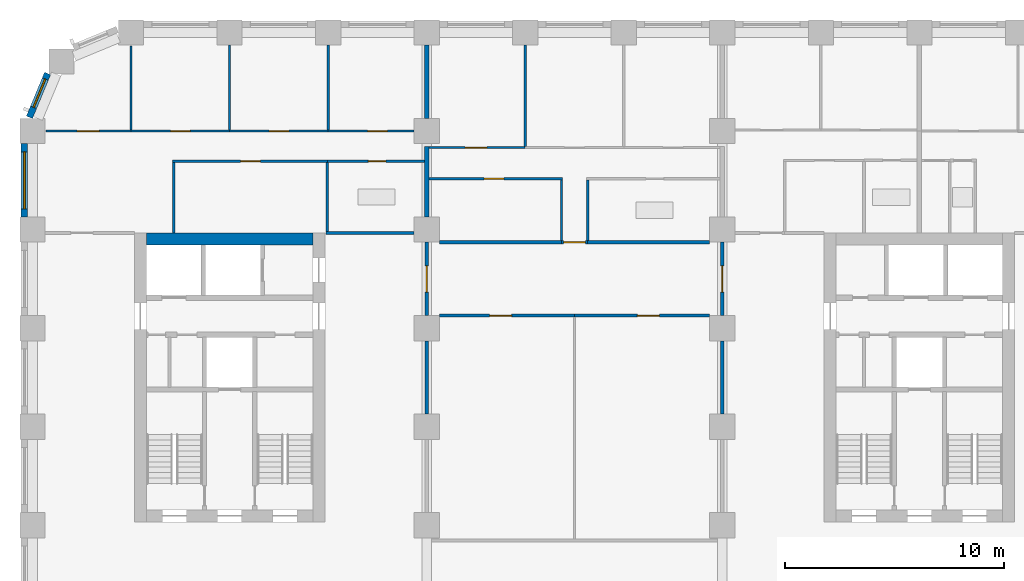
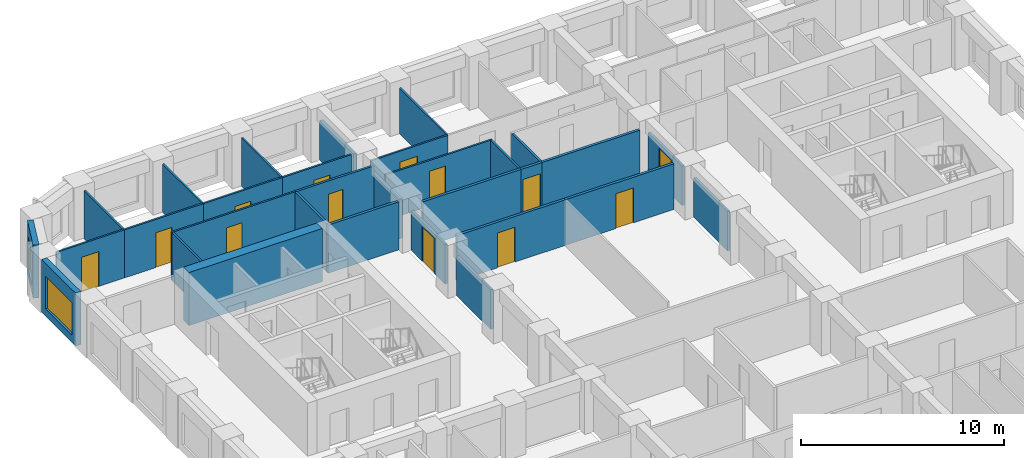
# One storey, part 7 of 13: 31 walls, 13 doors, 2 windows, 15 openings.
"""IFC4 building model written with IfcOpenShell, lengths in metres."""

from ifc_helpers import new_model, si_unit, direction, frame, frame_2d, origin, place, context, subcontext, project, spatial, rectangle, extrude, material, layer, layer_set, type_object, element, fill, save


model = new_model("IFC4")

# Units and contexts
model_context = context("Model", 3, precision=1e-05, world=origin(), true_north=direction((0.0, 1.0)))
body_context = subcontext(model_context, "Body", "Model", "MODEL_VIEW")
ifc_project = project(units=[si_unit("LENGTHUNIT", "METRE"), si_unit("AREAUNIT", "SQUARE_METRE"), si_unit("VOLUMEUNIT", "CUBIC_METRE"), si_unit("PLANEANGLEUNIT", "RADIAN"), si_unit("MASSUNIT", "GRAM", prefix="KILO")], contexts=[model_context])

# Site, building, storey
site_placement = place(None, origin())
site = spatial("IfcSite", under=ifc_project, at=site_placement, CompositionType="ELEMENT")
building_placement = place(site_placement, origin())
building = spatial("IfcBuilding", under=site, at=building_placement, Name="Girih Gate Residences", CompositionType="ELEMENT")
storey_placement = place(building_placement, frame((0.0, 0.0, 86.39990234375)))
storey = spatial("IfcBuildingStorey", under=building, at=storey_placement, Name="L23", CompositionType="ELEMENT", Elevation=86.39990234375)

# Walls
ifc_material_1 = material(Name="Gypsum board on steel studs", Category="steel")
ifc_layer_1 = layer(ifc_material_1, 0.14990234375)
ifc_layer_set_1 = layer_set([ifc_layer_1], Name="Compartment wall 150 mm")
wall_type_1 = type_object("IfcWallType", Name="Compartment wall 150 mm", PredefinedType="PARTITIONING", material=ifc_layer_set_1)
wall_1_placement = place(storey_placement, frame((13.400390625, 40.35009765625, 0.0), z_axis=(0.0, 0.0, 1.0), x_axis=(1.0, 0.0, 0.0)))
element("IfcWall", 1, at=wall_1_placement, inside=storey, type_object=wall_type_1, Name="L23 partition", PredefinedType="PARTITIONING", context=body_context, shape_type="SweptSolid", body=[
    extrude(rectangle(XDim=4.024658203125, YDim=0.14990234375, at=frame_2d((2.01220703125, 0.0))), origin(), (0.0, 0.0, 1.0), 2.900146484375),
])
wall_2_placement = place(storey_placement, frame((25.35009765625, 39.925048828125, 0.0), z_axis=(0.0, 0.0, 1.0), x_axis=(1.0, 0.0, 0.0)))
element("IfcWall", 2, at=wall_2_placement, inside=storey, type_object=wall_type_1, Name="L23 partition", PredefinedType="PARTITIONING", context=body_context, shape_type="SweptSolid", body=[
    extrude(rectangle(XDim=5.574951171875, YDim=0.14990234375, at=frame_2d((2.78759765625, 0.0))), origin(), (0.0, 0.0, 1.0), 2.75),
])

# Wall, opening, door
wall_3_placement = place(storey_placement, frame((24.14990234375, 39.925048828125, 0.0), z_axis=(0.0, 0.0, 1.0), x_axis=(1.0, 0.0, 0.0)))
wall_3 = element("IfcWall", 3, at=wall_3_placement, inside=storey, type_object=wall_type_1, Name="L23 partition", PredefinedType="PARTITIONING", context=body_context, shape_type="SweptSolid", body=[
    extrude(rectangle(XDim=1.2001953125, YDim=0.14990234375, at=frame_2d((0.60009765625, 0.0))), origin(), (0.0, 0.0, 1.0), 2.75),
])
opening_1_placement = place(wall_3_placement, frame((0.10009765625, 0.0, 0.0)))
opening_1 = element("IfcOpeningElement", 4, at=opening_1_placement, cuts=wall_3, Name="Opening A23-045", PredefinedType="OPENING", context=body_context, shape_type="SweptSolid", body=[
    extrude(rectangle(XDim=1.0, YDim=2.10009765625, at=frame_2d((0.5, 1.050048828125))), frame((0.0, 0.0849609375, 0.0), z_axis=(0.0, -1.0, 0.0), x_axis=(1.0, 0.0, 0.0)), (0.0, 0.0, 1.0), 0.169921875),
])
ifc_material_2 = material(Name="Timber, fire-rated core", Category="wood")
door_type_1 = type_object("IfcDoorType", Name="Flat entrance door 1000x2100 FD30S", OperationType="NOTDEFINED", PredefinedType="DOOR", material=ifc_material_2)
door_1_placement = place(opening_1_placement, origin())
door_1 = element("IfcDoor", 5, at=door_1_placement, inside=storey, type_object=door_type_1, Name="Door A23-045", OperationType="SINGLE_SWING_RIGHT", OverallHeight=2.10009765625, OverallWidth=1.0, PredefinedType="DOOR", context=body_context, shape_type="SweptSolid", body=[
    extrude(rectangle(XDim=1.0, YDim=2.10009765625, at=frame_2d((0.5, 1.050048828125))), frame((0.0, 0.02490234375, 0.0), z_axis=(0.0, -1.0, 0.0), x_axis=(1.0, 0.0, 0.0)), (0.0, 0.0, 1.0), 0.050048828125),
])
fill(opening_1, door_1)

# Wall
wall_4_placement = place(storey_placement, frame((18.574951171875, 39.925048828125, 0.0), z_axis=(0.0, 0.0, 1.0), x_axis=(1.0, 0.0, 0.0)))
element("IfcWall", 6, at=wall_4_placement, inside=storey, type_object=wall_type_1, Name="L23 partition", PredefinedType="PARTITIONING", context=body_context, shape_type="SweptSolid", body=[
    extrude(rectangle(XDim=5.574951171875, YDim=0.14990234375, at=frame_2d((2.78759765625, 0.0))), origin(), (0.0, 0.0, 1.0), 2.75),
])

# Wall, opening, door
wall_5_placement = place(storey_placement, frame((24.75, 36.574951171875, 0.0), z_axis=(0.0, 0.0, 1.0), x_axis=(-1.0, 0.0, 0.0)))
wall_5 = element("IfcWall", 7, at=wall_5_placement, inside=storey, type_object=wall_type_1, Name="L23 partition", PredefinedType="PARTITIONING", context=body_context, shape_type="SweptSolid", body=[
    extrude(rectangle(XDim=6.175048828125, YDim=0.14990234375, at=frame_2d((3.08740234375, 0.0))), origin(), (0.0, 0.0, 1.0), 2.75),
])
opening_2_placement = place(wall_5_placement, frame((2.875, 0.0, 0.0)))
opening_2 = element("IfcOpeningElement", 8, at=opening_2_placement, cuts=wall_5, Name="Opening A23-046", PredefinedType="OPENING", context=body_context, shape_type="SweptSolid", body=[
    extrude(rectangle(XDim=1.0, YDim=2.10009765625, at=frame_2d((0.5, 1.050048828125))), frame((0.0, 0.0849609375, 0.0), z_axis=(0.0, -1.0, 0.0), x_axis=(1.0, 0.0, 0.0)), (0.0, 0.0, 1.0), 0.169921875),
])
door_type_2 = type_object("IfcDoorType", Name="Amenity room door 1000x2100 FD30S", OperationType="NOTDEFINED", PredefinedType="DOOR", material=ifc_material_2)
door_2_placement = place(opening_2_placement, origin())
door_2 = element("IfcDoor", 9, at=door_2_placement, inside=storey, type_object=door_type_2, Name="Door A23-046", OperationType="SINGLE_SWING_RIGHT", OverallHeight=2.10009765625, OverallWidth=1.0, PredefinedType="DOOR", context=body_context, shape_type="SweptSolid", body=[
    extrude(rectangle(XDim=1.0, YDim=2.10009765625, at=frame_2d((0.5, 1.050048828125))), frame((0.0, 0.02490234375, 0.0), z_axis=(0.0, -1.0, 0.0), x_axis=(1.0, 0.0, 0.0)), (0.0, 0.0, 1.0), 0.050048828125),
])
fill(opening_2, door_2)

wall_6_placement = place(storey_placement, frame((30.925048828125, 36.574951171875, 0.0), z_axis=(0.0, 0.0, 1.0), x_axis=(-1.0, 0.0, 0.0)))
wall_6 = element("IfcWall", 10, at=wall_6_placement, inside=storey, type_object=wall_type_1, Name="L23 partition", PredefinedType="PARTITIONING", context=body_context, shape_type="SweptSolid", body=[
    extrude(rectangle(XDim=6.175048828125, YDim=0.14990234375, at=frame_2d((3.08740234375, 0.0))), origin(), (0.0, 0.0, 1.0), 2.75),
])
opening_3_placement = place(wall_6_placement, frame((2.300048828125, 0.0, 0.0)))
opening_3 = element("IfcOpeningElement", 11, at=opening_3_placement, cuts=wall_6, Name="Opening A23-047", PredefinedType="OPENING", context=body_context, shape_type="SweptSolid", body=[
    extrude(rectangle(XDim=1.0, YDim=2.10009765625, at=frame_2d((0.5, 1.050048828125))), frame((0.0, 0.0849609375, 0.0), z_axis=(0.0, -1.0, 0.0), x_axis=(1.0, 0.0, 0.0)), (0.0, 0.0, 1.0), 0.169921875),
])
door_3_placement = place(opening_3_placement, origin())
door_3 = element("IfcDoor", 12, at=door_3_placement, inside=storey, type_object=door_type_2, Name="Door A23-047", OperationType="SINGLE_SWING_LEFT", OverallHeight=2.10009765625, OverallWidth=1.0, PredefinedType="DOOR", context=body_context, shape_type="SweptSolid", body=[
    extrude(rectangle(XDim=1.0, YDim=2.10009765625, at=frame_2d((0.5, 1.050048828125))), frame((0.0, 0.02490234375, 0.0), z_axis=(0.0, -1.0, 0.0), x_axis=(1.0, 0.0, 0.0)), (0.0, 0.0, 1.0), 0.050048828125),
])
fill(opening_3, door_3)

wall_7_placement = place(storey_placement, frame((31.5, 36.574951171875, 0.0), z_axis=(0.0, 0.0, 1.0), x_axis=(0.0, 1.0, 0.0)))
wall_7 = element("IfcWall", 13, at=wall_7_placement, inside=storey, type_object=wall_type_1, Name="L23 partition", PredefinedType="PARTITIONING", context=body_context, shape_type="SweptSolid", body=[
    extrude(rectangle(XDim=3.35009765625, YDim=0.14990234375, at=frame_2d((1.675048828125, 0.0))), origin(), (0.0, 0.0, 1.0), 2.380126953125),
])
opening_4_placement = place(wall_7_placement, frame((1.074951171875, 0.0, 0.0)))
opening_4 = element("IfcOpeningElement", 14, at=opening_4_placement, cuts=wall_7, Name="Opening A23-048", PredefinedType="OPENING", context=body_context, shape_type="SweptSolid", body=[
    extrude(rectangle(XDim=1.199951171875, YDim=2.10009765625, at=frame_2d((0.60009765625, 1.050048828125))), frame((0.0, 0.0849609375, 0.0), z_axis=(0.0, -1.0, 0.0), x_axis=(1.0, 0.0, 0.0)), (0.0, 0.0, 1.0), 0.169921875),
])
door_type_3 = type_object("IfcDoorType", Name="Corridor fire door 1200x2100 FD30S", OperationType="NOTDEFINED", PredefinedType="DOOR", material=ifc_material_2)
door_4_placement = place(opening_4_placement, origin())
door_4 = element("IfcDoor", 15, at=door_4_placement, inside=storey, type_object=door_type_3, Name="Door A23-048", OperationType="SINGLE_SWING_LEFT", OverallHeight=2.10009765625, OverallWidth=1.199951171875, PredefinedType="DOOR", context=body_context, shape_type="SweptSolid", body=[
    extrude(rectangle(XDim=1.199951171875, YDim=2.10009765625, at=frame_2d((0.60009765625, 1.050048828125))), frame((0.0, 0.02490234375, 0.0), z_axis=(0.0, -1.0, 0.0), x_axis=(1.0, 0.0, 0.0)), (0.0, 0.0, 1.0), 0.050048828125),
])
fill(opening_4, door_4)

wall_8_placement = place(storey_placement, frame((18.0, 39.925048828125, 0.0), z_axis=(0.0, 0.0, 1.0), x_axis=(0.0, -1.0, 0.0)))
wall_8 = element("IfcWall", 16, at=wall_8_placement, inside=storey, type_object=wall_type_1, Name="L23 partition", PredefinedType="PARTITIONING", context=body_context, shape_type="SweptSolid", body=[
    extrude(rectangle(XDim=3.35009765625, YDim=0.14990234375, at=frame_2d((1.675048828125, 0.0))), origin(), (0.0, 0.0, 1.0), 2.380126953125),
])
opening_5_placement = place(wall_8_placement, frame((1.074951171875, 0.0, 0.0)))
opening_5 = element("IfcOpeningElement", 17, at=opening_5_placement, cuts=wall_8, Name="Opening A23-049", PredefinedType="OPENING", context=body_context, shape_type="SweptSolid", body=[
    extrude(rectangle(XDim=1.199951171875, YDim=2.10009765625, at=frame_2d((0.60009765625, 1.050048828125))), frame((0.0, 0.0849609375, 0.0), z_axis=(0.0, -1.0, 0.0), x_axis=(1.0, 0.0, 0.0)), (0.0, 0.0, 1.0), 0.169921875),
])
door_5_placement = place(opening_5_placement, origin())
door_5 = element("IfcDoor", 18, at=door_5_placement, inside=storey, type_object=door_type_3, Name="Door A23-049", OperationType="SINGLE_SWING_LEFT", OverallHeight=2.10009765625, OverallWidth=1.199951171875, PredefinedType="DOOR", context=body_context, shape_type="SweptSolid", body=[
    extrude(rectangle(XDim=1.199951171875, YDim=2.10009765625, at=frame_2d((0.60009765625, 1.050048828125))), frame((0.0, 0.02490234375, 0.0), z_axis=(0.0, -1.0, 0.0), x_axis=(1.0, 0.0, 0.0)), (0.0, 0.0, 1.0), 0.050048828125),
])
fill(opening_5, door_5)

# Walls
for number, where, z_axis, x_axis, name in (
    (19, (18.0, 32.074951171875, 0.0), (0.0, 0.0, 1.0), (0.0, 1.0, 0.0), "L23 partition"),
    (20, (31.5, 32.074951171875, 0.0), (0.0, 0.0, 1.0), (0.0, 1.0, 0.0), "L23 partition"),
):
    element("IfcWall", number, at=place(storey_placement, frame(where, z_axis=z_axis, x_axis=x_axis)), inside=storey, type_object=wall_type_1, Name=name, PredefinedType="PARTITIONING", context=body_context, shape_type="SweptSolid", body=[
        extrude(rectangle(XDim=3.35009765625, YDim=0.14990234375, at=frame_2d((1.675048828125, 0.0))), origin(), (0.0, 0.0, 1.0), 2.380126953125),
    ])
ifc_material_3 = material(Name="Concrete C60/75", Category="concrete")
ifc_layer_2 = layer(ifc_material_3, 0.550048828125)
ifc_layer_set_2 = layer_set([ifc_layer_2], Name="Core wall RC 550 Concrete C60/75")
wall_type_2 = type_object("IfcWallType", Name="Core wall RC 550 Concrete C60/75", PredefinedType="SOLIDWALL", material=ifc_layer_set_2)
wall_9_placement = place(storey_placement, frame((5.199951171875, 40.074951171875, 0.0), z_axis=(0.0, 0.0, 1.0), x_axis=(1.0, 0.0, 0.0)))
element("IfcWall", 21, at=wall_9_placement, inside=storey, type_object=wall_type_2, Name="Core wall W-N L23", PredefinedType="SOLIDWALL", context=body_context, shape_type="SweptSolid", body=[
    extrude(rectangle(XDim=7.60009765625, YDim=0.550048828125, at=frame_2d((3.800048828125, 0.0))), origin(), (0.0, 0.0, 1.0), 3.2001953125),
])
ifc_layer_3 = layer(ifc_material_1, 0.10009765625)
ifc_layer_set_3 = layer_set([ifc_layer_3], Name="Partition 100 mm")
wall_type_3 = type_object("IfcWallType", Name="Partition 100 mm", PredefinedType="PARTITIONING", material=ifc_layer_set_3)
wall_10_placement = place(storey_placement, frame((9.0, 45.050048828125, 0.0), z_axis=(0.0, 0.0, 1.0), x_axis=(0.0, 1.0, 0.0)))
element("IfcWall", 22, at=wall_10_placement, inside=storey, type_object=wall_type_3, Name="L23 partition", PredefinedType="PARTITIONING", context=body_context, shape_type="SweptSolid", body=[
    extrude(rectangle(XDim=3.875, YDim=0.10009765625, at=frame_2d((1.9375, 0.0))), origin(), (0.0, 0.0, 1.0), 2.900146484375),
])

# Wall, opening, door
wall_11_placement = place(storey_placement, frame((4.5, 45.0, 0.0), z_axis=(0.0, 0.0, 1.0), x_axis=(1.0, 0.0, 0.0)))
wall_11 = element("IfcWall", 23, at=wall_11_placement, inside=storey, type_object=wall_type_3, Name="L23 partition", PredefinedType="PARTITIONING", context=body_context, shape_type="SweptSolid", body=[
    extrude(rectangle(XDim=4.5, YDim=0.10009765625, at=frame_2d((2.25, 0.0))), origin(), (0.0, 0.0, 1.0), 2.900146484375),
])
opening_6_placement = place(wall_11_placement, frame((1.800048828125, 0.0, 0.0)))
opening_6 = element("IfcOpeningElement", 24, at=opening_6_placement, cuts=wall_11, Name="Opening A23-012", PredefinedType="OPENING", context=body_context, shape_type="SweptSolid", body=[
    extrude(rectangle(XDim=0.89990234375, YDim=2.10009765625, at=frame_2d((0.449951171875, 1.050048828125))), frame((0.0, 0.06005859375, 0.0), z_axis=(0.0, -1.0, 0.0), x_axis=(1.0, 0.0, 0.0)), (0.0, 0.0, 1.0), 0.1201171875),
])
ifc_material_4 = material(Name="Timber", Category="wood")
door_type_4 = type_object("IfcDoorType", Name="Bedroom door 900x2100", OperationType="NOTDEFINED", PredefinedType="DOOR", material=ifc_material_4)
door_6_placement = place(opening_6_placement, origin())
door_6 = element("IfcDoor", 25, at=door_6_placement, inside=storey, type_object=door_type_4, Name="Door A23-012", OperationType="SINGLE_SWING_RIGHT", OverallHeight=2.10009765625, OverallWidth=0.89990234375, PredefinedType="DOOR", context=body_context, shape_type="SweptSolid", body=[
    extrude(rectangle(XDim=0.89990234375, YDim=2.10009765625, at=frame_2d((0.449951171875, 1.050048828125))), frame((0.0, 0.02490234375, 0.0), z_axis=(0.0, -1.0, 0.0), x_axis=(1.0, 0.0, 0.0)), (0.0, 0.0, 1.0), 0.050048828125),
])
fill(opening_6, door_6)

# Walls
wall_12_placement = place(storey_placement, frame((4.5, 45.050048828125, 0.0), z_axis=(0.0, 0.0, 1.0), x_axis=(0.0, 1.0, 0.0)))
element("IfcWall", 26, at=wall_12_placement, inside=storey, type_object=wall_type_3, Name="L23 partition", PredefinedType="PARTITIONING", context=body_context, shape_type="SweptSolid", body=[
    extrude(rectangle(XDim=3.82763671875, YDim=0.10009765625, at=frame_2d((1.913818359375, 0.0))), origin(), (0.0, 0.0, 1.0), 2.900146484375),
])
wall_13_placement = place(storey_placement, frame((13.5, 45.050048828125, 0.0), z_axis=(0.0, 0.0, 1.0), x_axis=(0.0, 1.0, 0.0)))
element("IfcWall", 27, at=wall_13_placement, inside=storey, type_object=wall_type_3, Name="L23 partition", PredefinedType="PARTITIONING", context=body_context, shape_type="SweptSolid", body=[
    extrude(rectangle(XDim=3.875, YDim=0.10009765625, at=frame_2d((1.9375, 0.0))), origin(), (0.0, 0.0, 1.0), 2.900146484375),
])

# Wall, opening, door
wall_14_placement = place(storey_placement, frame((9.0, 45.0, 0.0), z_axis=(0.0, 0.0, 1.0), x_axis=(1.0, 0.0, 0.0)))
wall_14 = element("IfcWall", 28, at=wall_14_placement, inside=storey, type_object=wall_type_3, Name="L23 partition", PredefinedType="PARTITIONING", context=body_context, shape_type="SweptSolid", body=[
    extrude(rectangle(XDim=4.5, YDim=0.10009765625, at=frame_2d((2.25, 0.0))), origin(), (0.0, 0.0, 1.0), 2.900146484375),
])
opening_7_placement = place(wall_14_placement, frame((1.800048828125, 0.0, 0.0)))
opening_7 = element("IfcOpeningElement", 29, at=opening_7_placement, cuts=wall_14, Name="Opening A23-013", PredefinedType="OPENING", context=body_context, shape_type="SweptSolid", body=[
    extrude(rectangle(XDim=0.89990234375, YDim=2.10009765625, at=frame_2d((0.449951171875, 1.050048828125))), frame((0.0, 0.06005859375, 0.0), z_axis=(0.0, -1.0, 0.0), x_axis=(1.0, 0.0, 0.0)), (0.0, 0.0, 1.0), 0.1201171875),
])
door_7_placement = place(opening_7_placement, origin())
door_7 = element("IfcDoor", 30, at=door_7_placement, inside=storey, type_object=door_type_4, Name="Door A23-013", OperationType="SINGLE_SWING_LEFT", OverallHeight=2.10009765625, OverallWidth=0.89990234375, PredefinedType="DOOR", context=body_context, shape_type="SweptSolid", body=[
    extrude(rectangle(XDim=0.89990234375, YDim=2.10009765625, at=frame_2d((0.449951171875, 1.050048828125))), frame((0.0, 0.02490234375, 0.0), z_axis=(0.0, -1.0, 0.0), x_axis=(1.0, 0.0, 0.0)), (0.0, 0.0, 1.0), 0.050048828125),
])
fill(opening_7, door_7)

wall_15_placement = place(storey_placement, frame((13.5, 45.0, 0.0), z_axis=(0.0, 0.0, 1.0), x_axis=(1.0, 0.0, 0.0)))
wall_15 = element("IfcWall", 31, at=wall_15_placement, inside=storey, type_object=wall_type_3, Name="L23 partition", PredefinedType="PARTITIONING", context=body_context, shape_type="SweptSolid", body=[
    extrude(rectangle(XDim=3.925048828125, YDim=0.10009765625, at=frame_2d((1.96240234375, 0.0))), origin(), (0.0, 0.0, 1.0), 2.900146484375),
])
opening_8_placement = place(wall_15_placement, frame((1.800048828125, 0.0, 0.0)))
opening_8 = element("IfcOpeningElement", 32, at=opening_8_placement, cuts=wall_15, Name="Opening A23-014", PredefinedType="OPENING", context=body_context, shape_type="SweptSolid", body=[
    extrude(rectangle(XDim=0.89990234375, YDim=2.10009765625, at=frame_2d((0.449951171875, 1.050048828125))), frame((0.0, 0.06005859375, 0.0), z_axis=(0.0, -1.0, 0.0), x_axis=(1.0, 0.0, 0.0)), (0.0, 0.0, 1.0), 0.1201171875),
])
door_8_placement = place(opening_8_placement, origin())
door_8 = element("IfcDoor", 33, at=door_8_placement, inside=storey, type_object=door_type_4, Name="Door A23-014", OperationType="SINGLE_SWING_RIGHT", OverallHeight=2.10009765625, OverallWidth=0.89990234375, PredefinedType="DOOR", context=body_context, shape_type="SweptSolid", body=[
    extrude(rectangle(XDim=0.89990234375, YDim=2.10009765625, at=frame_2d((0.449951171875, 1.050048828125))), frame((0.0, 0.02490234375, 0.0), z_axis=(0.0, -1.0, 0.0), x_axis=(1.0, 0.0, 0.0)), (0.0, 0.0, 1.0), 0.050048828125),
])
fill(opening_8, door_8)

wall_16_placement = place(storey_placement, frame((13.462890625, 43.6201171875, 0.0), z_axis=(0.0, 0.0, 1.0), x_axis=(-1.0, 0.0, 0.0)))
wall_16 = element("IfcWall", 34, at=wall_16_placement, inside=storey, type_object=wall_type_3, Name="L23 partition", PredefinedType="PARTITIONING", context=body_context, shape_type="SweptSolid", body=[
    extrude(rectangle(XDim=7.06298828125, YDim=0.10009765625, at=frame_2d((3.531494140625, 0.0))), origin(), (0.0, 0.0, 1.0), 2.900146484375),
])
opening_9_placement = place(wall_16_placement, frame((3.056396484375, 0.0, 0.0)))
opening_9 = element("IfcOpeningElement", 35, at=opening_9_placement, cuts=wall_16, Name="Opening A23-015", PredefinedType="OPENING", context=body_context, shape_type="SweptSolid", body=[
    extrude(rectangle(XDim=0.89990234375, YDim=2.10009765625, at=frame_2d((0.449951171875, 1.050048828125))), frame((0.0, 0.06005859375, 0.0), z_axis=(0.0, -1.0, 0.0), x_axis=(1.0, 0.0, 0.0)), (0.0, 0.0, 1.0), 0.1201171875),
])
door_type_5 = type_object("IfcDoorType", Name="Kitchen door 900x2100", OperationType="NOTDEFINED", PredefinedType="DOOR", material=ifc_material_4)
door_9_placement = place(opening_9_placement, origin())
door_9 = element("IfcDoor", 36, at=door_9_placement, inside=storey, type_object=door_type_5, Name="Door A23-015", OperationType="SINGLE_SWING_LEFT", OverallHeight=2.10009765625, OverallWidth=0.89990234375, PredefinedType="DOOR", context=body_context, shape_type="SweptSolid", body=[
    extrude(rectangle(XDim=0.89990234375, YDim=2.10009765625, at=frame_2d((0.449951171875, 1.050048828125))), frame((0.0, 0.02490234375, 0.0), z_axis=(0.0, -1.0, 0.0), x_axis=(1.0, 0.0, 0.0)), (0.0, 0.0, 1.0), 0.050048828125),
])
fill(opening_9, door_9)

# Wall
wall_17_placement = place(storey_placement, frame((6.449951171875, 40.35009765625, 0.0), z_axis=(0.0, 0.0, 1.0), x_axis=(0.0, 1.0, 0.0)))
element("IfcWall", 37, at=wall_17_placement, inside=storey, type_object=wall_type_3, Name="L23 partition", PredefinedType="PARTITIONING", context=body_context, shape_type="SweptSolid", body=[
    extrude(rectangle(XDim=3.219970703125, YDim=0.10009765625, at=frame_2d((1.60986328125, 0.0))), origin(), (0.0, 0.0, 1.0), 2.900146484375),
])

# Wall, opening, door
wall_18_placement = place(storey_placement, frame((0.622314453125, 45.0, 0.0), z_axis=(0.0, 0.0, 1.0), x_axis=(1.0, 0.0, 0.0)))
wall_18 = element("IfcWall", 38, at=wall_18_placement, inside=storey, type_object=wall_type_3, Name="L23 partition", PredefinedType="PARTITIONING", context=body_context, shape_type="SweptSolid", body=[
    extrude(rectangle(XDim=3.877685546875, YDim=0.10009765625, at=frame_2d((1.93896484375, 0.0))), origin(), (0.0, 0.0, 1.0), 2.900146484375),
])
opening_10_placement = place(wall_18_placement, frame((1.4150390625, 0.0, 0.0)))
opening_10 = element("IfcOpeningElement", 39, at=opening_10_placement, cuts=wall_18, Name="Opening A23-016", PredefinedType="OPENING", context=body_context, shape_type="SweptSolid", body=[
    extrude(rectangle(XDim=1.0, YDim=2.10009765625, at=frame_2d((0.5, 1.050048828125))), frame((0.0, 0.06005859375, 0.0), z_axis=(0.0, -1.0, 0.0), x_axis=(1.0, 0.0, 0.0)), (0.0, 0.0, 1.0), 0.1201171875),
])
door_type_6 = type_object("IfcDoorType", Name="Living room door 1000x2100", OperationType="NOTDEFINED", PredefinedType="DOOR", material=ifc_material_4)
door_10_placement = place(opening_10_placement, origin())
door_10 = element("IfcDoor", 40, at=door_10_placement, inside=storey, type_object=door_type_6, Name="Door A23-016", OperationType="SINGLE_SWING_LEFT", OverallHeight=2.10009765625, OverallWidth=1.0, PredefinedType="DOOR", context=body_context, shape_type="SweptSolid", body=[
    extrude(rectangle(XDim=1.0, YDim=2.10009765625, at=frame_2d((0.5, 1.050048828125))), frame((0.0, 0.02490234375, 0.0), z_axis=(0.0, -1.0, 0.0), x_axis=(1.0, 0.0, 0.0)), (0.0, 0.0, 1.0), 0.050048828125),
])
fill(opening_10, door_10)

# Walls
wall_19_placement = place(storey_placement, frame((22.5, 44.294921875, 0.0), z_axis=(0.0, 0.0, 1.0), x_axis=(0.0, 1.0, 0.0)))
element("IfcWall", 41, at=wall_19_placement, inside=storey, type_object=wall_type_3, Name="L23 partition", PredefinedType="PARTITIONING", context=body_context, shape_type="SweptSolid", body=[
    extrude(rectangle(XDim=4.630126953125, YDim=0.10009765625, at=frame_2d((2.31494140625, 0.0))), origin(), (0.0, 0.0, 1.0), 2.75),
])
wall_20_placement = place(storey_placement, frame((24.14990234375, 40.0, 0.0), z_axis=(0.0, 0.0, 1.0), x_axis=(0.0, 1.0, 0.0)))
element("IfcWall", 42, at=wall_20_placement, inside=storey, type_object=wall_type_3, Name="L23 partition", PredefinedType="PARTITIONING", context=body_context, shape_type="SweptSolid", body=[
    extrude(rectangle(XDim=2.77490234375, YDim=0.10009765625, at=frame_2d((1.387451171875, 0.0))), origin(), (0.0, 0.0, 1.0), 2.75),
])

# Wall, opening, door
wall_21_placement = place(storey_placement, frame((24.199951171875, 42.824951171875, 0.0), z_axis=(0.0, 0.0, 1.0), x_axis=(-1.0, 0.0, 0.0)))
wall_21 = element("IfcWall", 43, at=wall_21_placement, inside=storey, type_object=wall_type_3, Name="L23 partition", PredefinedType="PARTITIONING", context=body_context, shape_type="SweptSolid", body=[
    extrude(rectangle(XDim=6.099853515625, YDim=0.10009765625, at=frame_2d((3.0498046875, 0.0))), origin(), (0.0, 0.0, 1.0), 2.75),
])
opening_11_placement = place(wall_21_placement, frame((2.675048828125, 0.0, 0.0)))
opening_11 = element("IfcOpeningElement", 44, at=opening_11_placement, cuts=wall_21, Name="Opening A23-043", PredefinedType="OPENING", context=body_context, shape_type="SweptSolid", body=[
    extrude(rectangle(XDim=0.89990234375, YDim=2.10009765625, at=frame_2d((0.449951171875, 1.050048828125))), frame((0.0, 0.06005859375, 0.0), z_axis=(0.0, -1.0, 0.0), x_axis=(1.0, 0.0, 0.0)), (0.0, 0.0, 1.0), 0.1201171875),
])
door_11_placement = place(opening_11_placement, origin())
door_11 = element("IfcDoor", 45, at=door_11_placement, inside=storey, type_object=door_type_5, Name="Door A23-043", OperationType="SINGLE_SWING_RIGHT", OverallHeight=2.10009765625, OverallWidth=0.89990234375, PredefinedType="DOOR", context=body_context, shape_type="SweptSolid", body=[
    extrude(rectangle(XDim=0.89990234375, YDim=2.10009765625, at=frame_2d((0.449951171875, 1.050048828125))), frame((0.0, 0.02490234375, 0.0), z_axis=(0.0, -1.0, 0.0), x_axis=(1.0, 0.0, 0.0)), (0.0, 0.0, 1.0), 0.050048828125),
])
fill(opening_11, door_11)

wall_22_placement = place(storey_placement, frame((18.10009765625, 44.2451171875, 0.0), z_axis=(0.0, 0.0, 1.0), x_axis=(1.0, 0.0, 0.0)))
wall_22 = element("IfcWall", 46, at=wall_22_placement, inside=storey, type_object=wall_type_3, Name="L23 partition", PredefinedType="PARTITIONING", context=body_context, shape_type="SweptSolid", body=[
    extrude(rectangle(XDim=4.39990234375, YDim=0.10009765625, at=frame_2d((2.199951171875, 0.0))), origin(), (0.0, 0.0, 1.0), 2.75),
])
opening_12_placement = place(wall_22_placement, frame((1.64990234375, 0.0, 0.0)))
opening_12 = element("IfcOpeningElement", 47, at=opening_12_placement, cuts=wall_22, Name="Opening A23-044", PredefinedType="OPENING", context=body_context, shape_type="SweptSolid", body=[
    extrude(rectangle(XDim=1.0, YDim=2.10009765625, at=frame_2d((0.5, 1.050048828125))), frame((0.0, 0.06005859375, 0.0), z_axis=(0.0, -1.0, 0.0), x_axis=(1.0, 0.0, 0.0)), (0.0, 0.0, 1.0), 0.1201171875),
])
door_12_placement = place(opening_12_placement, origin())
door_12 = element("IfcDoor", 48, at=door_12_placement, inside=storey, type_object=door_type_6, Name="Door A23-044", OperationType="SINGLE_SWING_LEFT", OverallHeight=2.10009765625, OverallWidth=1.0, PredefinedType="DOOR", context=body_context, shape_type="SweptSolid", body=[
    extrude(rectangle(XDim=1.0, YDim=2.10009765625, at=frame_2d((0.5, 1.050048828125))), frame((0.0, 0.02490234375, 0.0), z_axis=(0.0, -1.0, 0.0), x_axis=(1.0, 0.0, 0.0)), (0.0, 0.0, 1.0), 0.050048828125),
])
fill(opening_12, door_12)

# Walls
ifc_layer_4 = layer(ifc_material_1, 0.199951171875)
ifc_layer_set_4 = layer_set([ifc_layer_4], Name="Party wall 200 mm")
wall_type_4 = type_object("IfcWallType", Name="Party wall 200 mm", PredefinedType="PARTITIONING", material=ifc_layer_set_4)
wall_23_placement = place(storey_placement, frame((18.0, 41.074951171875, 0.0), z_axis=(0.0, 0.0, 1.0), x_axis=(0.0, 1.0, 0.0)))
element("IfcWall", 49, at=wall_23_placement, inside=storey, type_object=wall_type_4, Name="L23 partition", PredefinedType="PARTITIONING", context=body_context, shape_type="SweptSolid", body=[
    extrude(rectangle(XDim=3.219970703125, YDim=0.199951171875, at=frame_2d((1.60986328125, 0.0))), origin(), (0.0, 0.0, 1.0), 2.380126953125),
])
wall_24_placement = place(storey_placement, frame((18.0, 45.574951171875, 0.0), z_axis=(0.0, 0.0, 1.0), x_axis=(0.0, 1.0, 0.0)))
element("IfcWall", 50, at=wall_24_placement, inside=storey, type_object=wall_type_4, Name="L23 partition", PredefinedType="PARTITIONING", context=body_context, shape_type="SweptSolid", body=[
    extrude(rectangle(XDim=3.35009765625, YDim=0.199951171875, at=frame_2d((1.675048828125, 0.0))), origin(), (0.0, 0.0, 1.0), 2.380126953125),
])

# Wall, opening, window
ifc_material_5 = material(Name="Precast concrete C50/60", Category="concrete")
ifc_layer_5 = layer(ifc_material_5, 0.080078125, Name="Outer leaf")
ifc_material_6 = material(Name="Rigid PIR insulation")
ifc_layer_6 = layer(ifc_material_6, 0.14990234375, Name="Insulation")
ifc_material_7 = material(Name="Precast concrete C40/50", Category="concrete")
ifc_layer_7 = layer(ifc_material_7, 0.070068359375, Name="Inner leaf")
ifc_layer_set_5 = layer_set([ifc_layer_5, ifc_layer_6, ifc_layer_7], Name="Precast concrete C50/60 external wall 300")
wall_type_5 = type_object("IfcWallType", Name="Precast concrete C50/60 external wall 300", PredefinedType="SOLIDWALL", material=ifc_layer_set_5)
wall_25_placement = place(storey_placement, frame((-0.14404296875, 45.63232421875, 0.0), z_axis=(0.0, 0.0, 1.0), x_axis=(0.382723818695, 0.923862802911, 0.0)))
wall_25 = element("IfcWall", 51, at=wall_25_placement, inside=storey, type_object=wall_type_5, Name="External wall NW0013_0482.0", PredefinedType="SOLIDWALL", context=body_context, shape_type="SweptSolid", body=[
    extrude(rectangle(XDim=2.163818359375, YDim=0.300048828125, at=frame_2d((1.08203125, 0.0))), origin(), (0.0, 0.0, 1.0), 3.2001953125),
])
opening_13_placement = place(wall_25_placement, frame((0.492919921875, 0.0, 0.449951171875)))
opening_13 = element("IfcOpeningElement", 52, at=opening_13_placement, cuts=wall_25, Name="Opening W-2D", PredefinedType="OPENING", context=body_context, shape_type="SweptSolid", body=[
    extrude(rectangle(XDim=1.39990234375, YDim=1.949951171875, at=frame_2d((0.699951171875, 0.97509765625))), frame((0.0, 0.159912109375, 0.0), z_axis=(0.0, -1.0, 0.0), x_axis=(1.0, 0.0, 0.0)), (0.0, 0.0, 1.0), 0.320068359375),
])
ifc_material_8 = material(Name="Double glazing in aluminium frame", Category="aluminium")
window_type_1 = type_object("IfcWindowType", Name="Window W-2D 1400x1950", PartitioningType="SINGLE_PANEL", PredefinedType="WINDOW", material=ifc_material_8)
window_1_placement = place(opening_13_placement, origin())
window_1 = element("IfcWindow", 53, at=window_1_placement, inside=storey, type_object=window_type_1, Name="Window W-2D NW0013_0482.0", OverallHeight=1.949951171875, OverallWidth=1.39990234375, PartitioningType="SINGLE_PANEL", PredefinedType="WINDOW", context=body_context, shape_type="SweptSolid", body=[
    extrude(rectangle(XDim=1.39990234375, YDim=1.949951171875, at=frame_2d((0.699951171875, 0.97509765625))), frame((0.0, 0.030029296875, 0.0), z_axis=(0.0, -1.0, 0.0), x_axis=(1.0, 0.0, 0.0)), (0.0, 0.0, 1.0), 0.06005859375),
])
fill(opening_13, window_1)

wall_26_placement = place(storey_placement, frame((-0.375, 41.074951171875, 0.0), z_axis=(0.0, 0.0, 1.0), x_axis=(0.0, 1.0, 0.0)))
wall_26 = element("IfcWall", 54, at=wall_26_placement, inside=storey, type_object=wall_type_5, Name="External wall W0000_0450.0", PredefinedType="SOLIDWALL", context=body_context, shape_type="SweptSolid", body=[
    extrude(rectangle(XDim=3.35009765625, YDim=0.300048828125, at=frame_2d((1.675048828125, 0.0))), origin(), (0.0, 0.0, 1.0), 3.2001953125),
])
opening_14_placement = place(wall_26_placement, frame((0.375, 0.0, 0.449951171875)))
opening_14 = element("IfcOpeningElement", 55, at=opening_14_placement, cuts=wall_26, Name="Opening W-1A", PredefinedType="OPENING", context=body_context, shape_type="SweptSolid", body=[
    extrude(rectangle(XDim=2.60009765625, YDim=1.949951171875, at=frame_2d((1.300048828125, 0.97509765625))), frame((0.0, 0.159912109375, 0.0), z_axis=(0.0, -1.0, 0.0), x_axis=(1.0, 0.0, 0.0)), (0.0, 0.0, 1.0), 0.320068359375),
])
window_type_2 = type_object("IfcWindowType", Name="Window W-1A 2600x1950", PartitioningType="SINGLE_PANEL", PredefinedType="WINDOW", material=ifc_material_8)
window_2_placement = place(opening_14_placement, origin())
window_2 = element("IfcWindow", 56, at=window_2_placement, inside=storey, type_object=window_type_2, Name="Window W-1A W0000_0450.0", OverallHeight=1.949951171875, OverallWidth=2.60009765625, PartitioningType="SINGLE_PANEL", PredefinedType="WINDOW", context=body_context, shape_type="SweptSolid", body=[
    extrude(rectangle(XDim=2.60009765625, YDim=1.949951171875, at=frame_2d((1.300048828125, 0.97509765625))), frame((0.0, 0.030029296875, 0.0), z_axis=(0.0, -1.0, 0.0), x_axis=(1.0, 0.0, 0.0)), (0.0, 0.0, 1.0), 0.06005859375),
])
fill(opening_14, window_2)

# Wall, opening, door
ifc_layer_8 = layer(ifc_material_1, 0.125)
ifc_layer_set_6 = layer_set([ifc_layer_8], Name="Wet room wall 125 mm")
wall_type_6 = type_object("IfcWallType", Name="Wet room wall 125 mm", PredefinedType="PARTITIONING", material=ifc_layer_set_6)
wall_27_placement = place(storey_placement, frame((17.89990234375, 43.6201171875, 0.0), z_axis=(0.0, 0.0, 1.0), x_axis=(-1.0, 0.0, 0.0)))
wall_27 = element("IfcWall", 57, at=wall_27_placement, inside=storey, type_object=wall_type_6, Name="L23 partition", PredefinedType="PARTITIONING", context=body_context, shape_type="SweptSolid", body=[
    extrude(rectangle(XDim=4.43701171875, YDim=0.125, at=frame_2d((2.218505859375, 0.0))), origin(), (0.0, 0.0, 1.0), 2.900146484375),
])
opening_15_placement = place(wall_27_placement, frame((1.7685546875, 0.0, 0.0)))
opening_15 = element("IfcOpeningElement", 58, at=opening_15_placement, cuts=wall_27, Name="Opening A23-011", PredefinedType="OPENING", context=body_context, shape_type="SweptSolid", body=[
    extrude(rectangle(XDim=0.800048828125, YDim=2.10009765625, at=frame_2d((0.39990234375, 1.050048828125))), frame((0.0, 0.072509765625, 0.0), z_axis=(0.0, -1.0, 0.0), x_axis=(1.0, 0.0, 0.0)), (0.0, 0.0, 1.0), 0.14501953125),
])
door_type_7 = type_object("IfcDoorType", Name="Bathroom door 800x2100", OperationType="NOTDEFINED", PredefinedType="DOOR", material=ifc_material_4)
door_13_placement = place(opening_15_placement, origin())
door_13 = element("IfcDoor", 59, at=door_13_placement, inside=storey, type_object=door_type_7, Name="Door A23-011", OperationType="SINGLE_SWING_LEFT", OverallHeight=2.10009765625, OverallWidth=0.800048828125, PredefinedType="DOOR", context=body_context, shape_type="SweptSolid", body=[
    extrude(rectangle(XDim=0.800048828125, YDim=2.10009765625, at=frame_2d((0.39990234375, 1.050048828125))), frame((0.0, 0.02490234375, 0.0), z_axis=(0.0, -1.0, 0.0), x_axis=(1.0, 0.0, 0.0)), (0.0, 0.0, 1.0), 0.050048828125),
])
fill(opening_15, door_13)

# Walls
wall_28_placement = place(storey_placement, frame((13.462890625, 40.425048828125, 0.0), z_axis=(0.0, 0.0, 1.0), x_axis=(0.0, 1.0, 0.0)))
element("IfcWall", 60, at=wall_28_placement, inside=storey, type_object=wall_type_6, Name="L23 partition", PredefinedType="PARTITIONING", context=body_context, shape_type="SweptSolid", body=[
    extrude(rectangle(XDim=3.132568359375, YDim=0.125, at=frame_2d((1.56640625, 0.0))), origin(), (0.0, 0.0, 1.0), 2.900146484375),
])
wall_29_placement = place(storey_placement, frame((25.35009765625, 40.0, 0.0), z_axis=(0.0, 0.0, 1.0), x_axis=(0.0, 1.0, 0.0)))
element("IfcWall", 61, at=wall_29_placement, inside=storey, type_object=wall_type_6, Name="L23 partition", PredefinedType="PARTITIONING", context=body_context, shape_type="SweptSolid", body=[
    extrude(rectangle(XDim=2.762451171875, YDim=0.125, at=frame_2d((1.38134765625, 0.0))), origin(), (0.0, 0.0, 1.0), 2.75),
])

save(model, "model.ifc")
